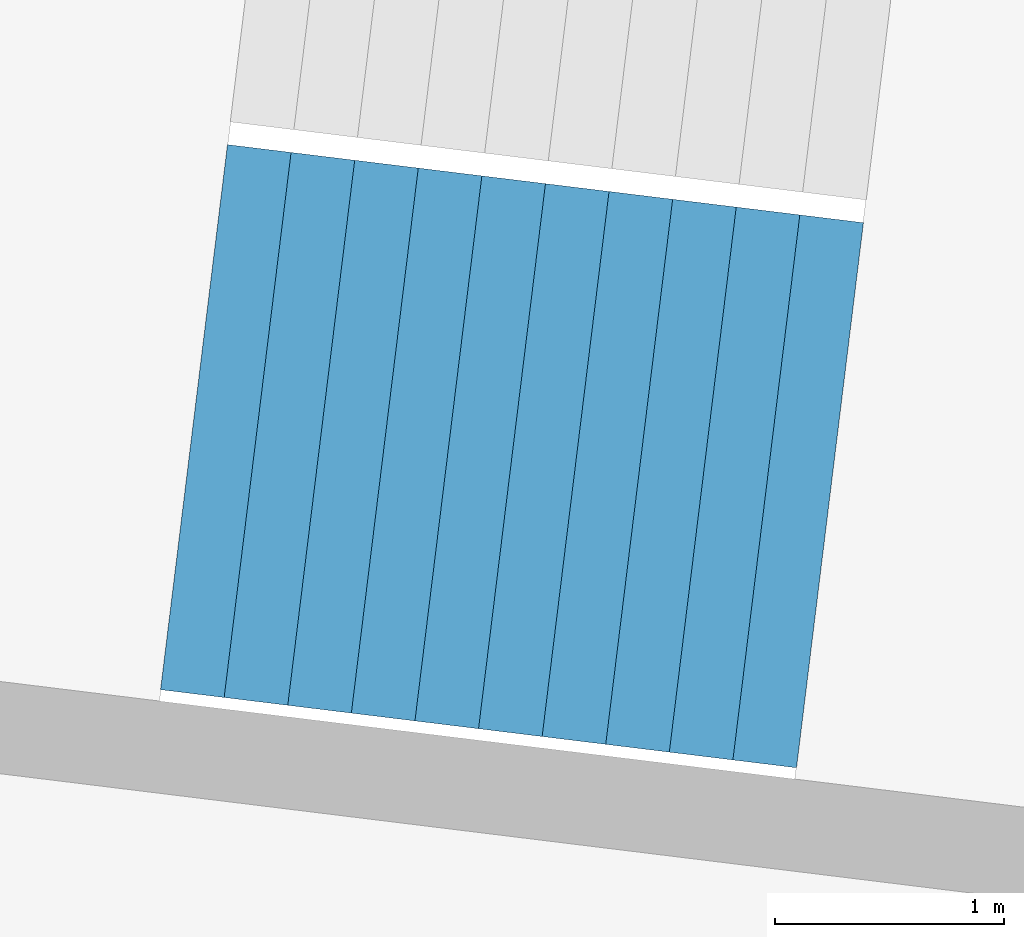
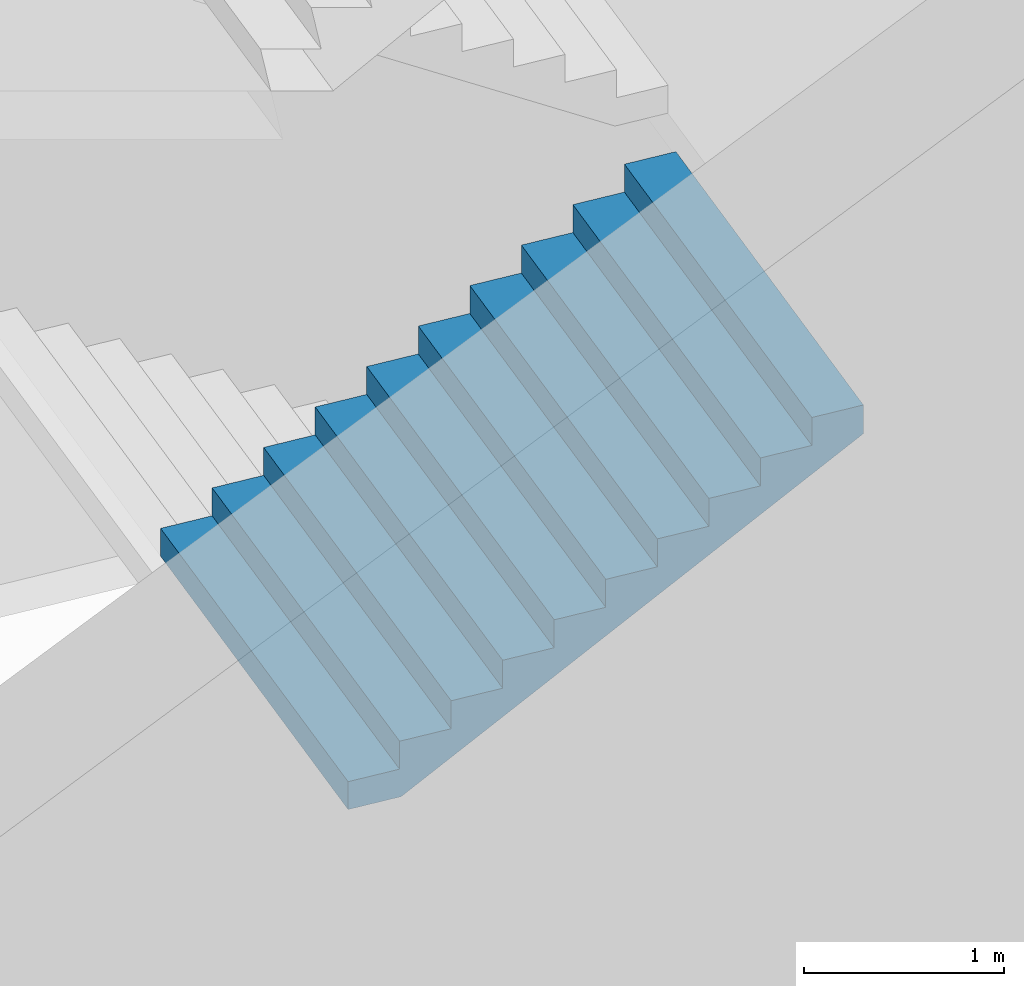
# One storey, part 26 of 73: 1 stair flight, 1 element without a shape of its own.
"""IFC4 building model written with IfcOpenShell, lengths in metres."""

from ifc_helpers import new_model, si_unit, direction, frame, origin, place, context, subcontext, project, spatial, triangles, material, type_object, element, aggregate, save


model = new_model("IFC4")

# Units and contexts
model_context = context("Model", 3, precision=1e-05, world=origin(), true_north=direction((0.0, 1.0)))
body_context = subcontext(model_context, "Body", "Model", "MODEL_VIEW")
ifc_project = project(units=[si_unit("LENGTHUNIT", "METRE"), si_unit("AREAUNIT", "SQUARE_METRE"), si_unit("VOLUMEUNIT", "CUBIC_METRE"), si_unit("PLANEANGLEUNIT", "RADIAN"), si_unit("MASSUNIT", "GRAM", prefix="KILO")], contexts=[model_context])

# Site, building, storey
site_placement = place(None, origin())
site = spatial("IfcSite", under=ifc_project, at=site_placement, CompositionType="ELEMENT")
building_placement = place(site_placement, origin())
building = spatial("IfcBuilding", under=site, at=building_placement, Name="Lantaw Convention Tower", CompositionType="ELEMENT")
storey_placement = place(building_placement, frame((0.0, 0.0, 14.5)))
storey = spatial("IfcBuildingStorey", under=building, at=storey_placement, Name="L02", CompositionType="ELEMENT", Elevation=14.5)

# Stair, stair flight
ifc_material = material(Name="Concrete C35/45", Category="concrete")
stair_type = type_object("IfcStairType", Name="Exit stair 2400 riser 170.45 in 4 flights", PredefinedType="HALF_TURN_STAIR", material=ifc_material)
stair_placement = place(storey_placement, origin())
stair = element("IfcStair", 1, at=stair_placement, inside=storey, type_object=stair_type, Name="Podium exit stair P9 L02", PredefinedType="HALF_TURN_STAIR")
stair_flight_type = type_object("IfcStairFlightType", Name="Stair flight 2400 riser 170.45", PredefinedType="STRAIGHT", material=ifc_material)
stair_flight_placement = place(storey_placement, frame((-41.055419921875, 3.781494140625, 1.875), z_axis=(0.0, 0.0, 1.0), x_axis=(0.992546151641, -0.121869343405, 0.0)))
stair_flight = element("IfcStairFlight", 2, at=stair_flight_placement, type_object=stair_flight_type, Name="P9 flight 2", NumberOfRisers=11, NumberOfTreads=10, PredefinedType="STRAIGHT", RiserHeight=0.170454545, TreadLength=0.28, context=body_context, shape_type="Tessellation", body=[
    triangles([(0.0, 1.199951171875, 0.0), (0.0, 1.199951171875, 0.170454545), (0.28, 1.199951171875, 0.0), (0.28, 1.199951171875, 0.170454545), (0.28, 1.199951171875, 0.34090909), (0.28827876332691904, 1.199951171875, 0.0), (0.28827876332691904, 1.199951171875, 0.34090909), (0.56, 1.199951171875, 0.16541471344266906), (0.56, 1.199951171875, 0.34090909), (0.56, 1.199951171875, 0.511363635), (0.8400000000000001, 1.199951171875, 0.335869258442669), (0.8400000000000001, 1.199951171875, 0.511363635), (0.8400000000000001, 1.199951171875, 0.68181818), (1.12, 1.199951171875, 0.506323803442669), (1.12, 1.199951171875, 0.68181818), (1.12, 1.199951171875, 0.8522727250000001), (1.4000000000000001, 1.199951171875, 0.676778348442669), (1.4000000000000001, 1.199951171875, 0.8522727250000001), (1.4000000000000001, 1.199951171875, 1.02272727), (1.6800000000000002, 1.199951171875, 0.847232893442669), (1.6800000000000002, 1.199951171875, 1.02272727), (1.6800000000000002, 1.199951171875, 1.193181815), (1.9600000000000002, 1.199951171875, 1.017687438442669), (1.9600000000000002, 1.199951171875, 1.193181815), (1.9600000000000002, 1.199951171875, 1.36363636), (2.24, 1.199951171875, 1.188141983442669), (2.24, 1.199951171875, 1.36363636), (2.24, 1.199951171875, 1.5340909050000002), (2.5200000000000005, 1.199951171875, 1.358596528442669), (2.5200000000000005, 1.199951171875, 1.5340909050000002), (2.5200000000000005, 1.199951171875, 1.7045454500000001), (2.8000000000000003, 1.199951171875, 1.529051073442669), (2.8000000000000003, 1.199951171875, 1.7045454500000001), (0.0, -1.199951171875, 0.0), (0.0, -1.199951171875, 0.170454545), (0.28, -1.199951171875, 0.0), (0.28, -1.199951171875, 0.170454545), (0.28, -1.199951171875, 0.34090909), (0.28827876332691904, -1.199951171875, 0.0), (0.28827876332691904, -1.199951171875, 0.34090909), (0.56, -1.199951171875, 0.16541471344266906), (0.56, -1.199951171875, 0.34090909), (0.56, -1.199951171875, 0.511363635), (0.8400000000000001, -1.199951171875, 0.335869258442669), (0.8400000000000001, -1.199951171875, 0.511363635), (0.8400000000000001, -1.199951171875, 0.68181818), (1.12, -1.199951171875, 0.506323803442669), (1.12, -1.199951171875, 0.68181818), (1.12, -1.199951171875, 0.8522727250000001), (1.4000000000000001, -1.199951171875, 0.676778348442669), (1.4000000000000001, -1.199951171875, 0.8522727250000001), (1.4000000000000001, -1.199951171875, 1.02272727), (1.6800000000000002, -1.199951171875, 0.847232893442669), (1.6800000000000002, -1.199951171875, 1.02272727), (1.6800000000000002, -1.199951171875, 1.193181815), (1.9600000000000002, -1.199951171875, 1.017687438442669), (1.9600000000000002, -1.199951171875, 1.193181815), (1.9600000000000002, -1.199951171875, 1.36363636), (2.24, -1.199951171875, 1.188141983442669), (2.24, -1.199951171875, 1.36363636), (2.24, -1.199951171875, 1.5340909050000002), (2.5200000000000005, -1.199951171875, 1.358596528442669), (2.5200000000000005, -1.199951171875, 1.5340909050000002), (2.5200000000000005, -1.199951171875, 1.7045454500000001), (2.8000000000000003, -1.199951171875, 1.529051073442669), (2.8000000000000003, -1.199951171875, 1.7045454500000001), (0.0, 0.239990234375, 0.170454545), (0.0, 0.239990234375, 0.0), (0.0, 0.1199951171875, 0.170454545), (0.0, 0.1199951171875, 0.0), (0.0, 0.0, 0.170454545), (0.0, 0.0, 0.0), (0.0, -0.1199951171875, 0.170454545), (0.0, -0.1199951171875, 0.0), (0.0, -0.239990234375, 0.170454545), (0.0, -0.239990234375, 0.0), (0.28, 0.239990234375, 0.34090909), (0.28, 0.239990234375, 0.170454545), (0.28, 0.1199951171875, 0.34090909), (0.28, 0.1199951171875, 0.170454545), (0.28, 0.0, 0.34090909), (0.28, 0.0, 0.170454545), (0.28, -0.1199951171875, 0.34090909), (0.28, -0.1199951171875, 0.170454545), (0.28, -0.239990234375, 0.34090909), (0.28, -0.239990234375, 0.170454545), (0.56, 0.239990234375, 0.511363635), (0.56, 0.239990234375, 0.34090909), (0.56, 0.1199951171875, 0.511363635), (0.56, 0.1199951171875, 0.34090909), (0.56, 0.0, 0.511363635), (0.56, 0.0, 0.34090909), (0.56, -0.1199951171875, 0.511363635), (0.56, -0.1199951171875, 0.34090909), (0.56, -0.239990234375, 0.511363635), (0.56, -0.239990234375, 0.34090909), (0.8400000000000001, 0.239990234375, 0.68181818), (0.8400000000000001, 0.239990234375, 0.511363635), (0.8400000000000001, 0.1199951171875, 0.68181818), (0.8400000000000001, 0.1199951171875, 0.511363635), (0.8400000000000001, 0.0, 0.68181818), (0.8400000000000001, 0.0, 0.511363635), (0.8400000000000001, -0.1199951171875, 0.68181818), (0.8400000000000001, -0.1199951171875, 0.511363635), (0.8400000000000001, -0.239990234375, 0.68181818), (0.8400000000000001, -0.239990234375, 0.511363635), (1.12, 0.239990234375, 0.8522727250000001), (1.12, 0.239990234375, 0.68181818), (1.12, 0.1199951171875, 0.8522727250000001), (1.12, 0.1199951171875, 0.68181818), (1.12, 0.0, 0.8522727250000001), (1.12, 0.0, 0.68181818), (1.12, -0.1199951171875, 0.8522727250000001), (1.12, -0.1199951171875, 0.68181818), (1.12, -0.239990234375, 0.8522727250000001), (1.12, -0.239990234375, 0.68181818), (1.4000000000000001, 0.239990234375, 1.02272727), (1.4000000000000001, 0.239990234375, 0.8522727250000001), (1.4000000000000001, 0.1199951171875, 1.02272727), (1.4000000000000001, 0.1199951171875, 0.8522727250000001), (1.4000000000000001, 0.0, 1.02272727), (1.4000000000000001, 0.0, 0.8522727250000001), (1.4000000000000001, -0.1199951171875, 1.02272727), (1.4000000000000001, -0.1199951171875, 0.8522727250000001), (1.4000000000000001, -0.239990234375, 1.02272727), (1.4000000000000001, -0.239990234375, 0.8522727250000001), (1.6800000000000002, 0.239990234375, 1.193181815), (1.6800000000000002, 0.239990234375, 1.02272727), (1.6800000000000002, 0.1199951171875, 1.193181815), (1.6800000000000002, 0.1199951171875, 1.02272727), (1.6800000000000002, 0.0, 1.193181815), (1.6800000000000002, 0.0, 1.02272727), (1.6800000000000002, -0.1199951171875, 1.193181815), (1.6800000000000002, -0.1199951171875, 1.02272727), (1.6800000000000002, -0.239990234375, 1.193181815), (1.6800000000000002, -0.239990234375, 1.02272727), (1.9600000000000002, 0.239990234375, 1.36363636), (1.9600000000000002, 0.239990234375, 1.193181815), (1.9600000000000002, 0.1199951171875, 1.36363636), (1.9600000000000002, 0.1199951171875, 1.193181815), (1.9600000000000002, 0.0, 1.36363636), (1.9600000000000002, 0.0, 1.193181815), (1.9600000000000002, -0.1199951171875, 1.36363636), (1.9600000000000002, -0.1199951171875, 1.193181815), (1.9600000000000002, -0.239990234375, 1.36363636), (1.9600000000000002, -0.239990234375, 1.193181815), (2.24, 0.239990234375, 1.5340909050000002), (2.24, 0.239990234375, 1.36363636), (2.24, 0.1199951171875, 1.5340909050000002), (2.24, 0.1199951171875, 1.36363636), (2.24, 0.0, 1.5340909050000002), (2.24, 0.0, 1.36363636), (2.24, -0.1199951171875, 1.5340909050000002), (2.24, -0.1199951171875, 1.36363636), (2.24, -0.239990234375, 1.5340909050000002), (2.24, -0.239990234375, 1.36363636), (2.5200000000000005, 0.239990234375, 1.7045454500000001), (2.5200000000000005, 0.239990234375, 1.5340909050000002), (2.5200000000000005, 0.1199951171875, 1.7045454500000001), (2.5200000000000005, 0.1199951171875, 1.5340909050000002), (2.5200000000000005, 0.0, 1.7045454500000001), (2.5200000000000005, 0.0, 1.5340909050000002), (2.5200000000000005, -0.1199951171875, 1.7045454500000001), (2.5200000000000005, -0.1199951171875, 1.5340909050000002), (2.5200000000000005, -0.239990234375, 1.7045454500000001), (2.5200000000000005, -0.239990234375, 1.5340909050000002), (0.28827876332691904, 0.239990234375, 0.34090909), (0.28827876332691904, 0.1199951171875, 0.34090909), (0.28827876332691904, 0.0, 0.34090909), (0.28827876332691904, -0.1199951171875, 0.34090909), (0.28827876332691904, -0.239990234375, 0.34090909), (2.8000000000000003, 0.239990234375, 1.7045454500000001), (2.8000000000000003, 0.1199951171875, 1.7045454500000001), (2.8000000000000003, 0.0, 1.7045454500000001), (2.8000000000000003, -0.1199951171875, 1.7045454500000001), (2.8000000000000003, -0.239990234375, 1.7045454500000001), (2.8000000000000003, 0.239990234375, 1.5290510734426692), (2.8000000000000003, 0.1199951171875, 1.5290510734426692), (2.8000000000000003, 0.0, 1.5290510734426692), (2.8000000000000003, -0.1199951171875, 1.5290510734426692), (2.8000000000000003, -0.239990234375, 1.5290510734426692), (2.5200000000000005, 0.239990234375, 1.358596528442669), (2.5200000000000005, 0.1199951171875, 1.358596528442669), (2.5200000000000005, 0.0, 1.358596528442669), (2.5200000000000005, -0.1199951171875, 1.358596528442669), (2.5200000000000005, -0.239990234375, 1.358596528442669), (2.24, 0.239990234375, 1.188141983442669), (2.24, 0.1199951171875, 1.188141983442669), (2.24, 0.0, 1.188141983442669), (2.24, -0.1199951171875, 1.188141983442669), (2.24, -0.239990234375, 1.188141983442669), (1.9600000000000002, 0.239990234375, 1.017687438442669), (1.9600000000000002, 0.1199951171875, 1.017687438442669), (1.9600000000000002, 0.0, 1.017687438442669), (1.9600000000000002, -0.1199951171875, 1.017687438442669), (1.9600000000000002, -0.239990234375, 1.017687438442669), (1.6800000000000002, 0.239990234375, 0.847232893442669), (1.6800000000000002, 0.1199951171875, 0.847232893442669), (1.6800000000000002, 0.0, 0.847232893442669), (1.6800000000000002, -0.1199951171875, 0.847232893442669), (1.6800000000000002, -0.239990234375, 0.847232893442669), (1.4000000000000001, 0.239990234375, 0.676778348442669), (1.4000000000000001, 0.1199951171875, 0.676778348442669), (1.4000000000000001, 0.0, 0.676778348442669), (1.4000000000000001, -0.1199951171875, 0.676778348442669), (1.4000000000000001, -0.239990234375, 0.676778348442669), (1.12, 0.239990234375, 0.506323803442669), (1.12, 0.1199951171875, 0.506323803442669), (1.12, 0.0, 0.506323803442669), (1.12, -0.1199951171875, 0.506323803442669), (1.12, -0.239990234375, 0.506323803442669), (0.8400000000000001, 0.239990234375, 0.335869258442669), (0.8400000000000001, 0.1199951171875, 0.335869258442669), (0.8400000000000001, 0.0, 0.335869258442669), (0.8400000000000001, -0.1199951171875, 0.335869258442669), (0.8400000000000001, -0.239990234375, 0.335869258442669), (0.56, 0.239990234375, 0.16541471344266906), (0.56, 0.1199951171875, 0.16541471344266906), (0.56, 0.0, 0.16541471344266906), (0.56, -0.1199951171875, 0.16541471344266906), (0.56, -0.239990234375, 0.16541471344266906), (0.28827876332691904, 0.239990234375, 0.0), (0.28827876332691904, 0.1199951171875, 0.0), (0.28827876332691904, 0.0, 0.0), (0.28827876332691904, -0.1199951171875, 0.0), (0.28827876332691904, -0.239990234375, 0.0), (0.28, 0.239990234375, 0.0), (0.28, 0.1199951171875, 0.0), (0.28, 0.0, 0.0), (0.28, -0.1199951171875, 0.0), (0.28, -0.239990234375, 0.0)], [[1, 4, 3], [1, 2, 4], [3, 4, 6], [4, 7, 6], [4, 5, 7], [6, 9, 8], [6, 7, 9], [8, 9, 11], [9, 12, 11], [9, 10, 12], [11, 12, 14], [12, 15, 14], [12, 13, 15], [14, 15, 17], [15, 18, 17], [15, 16, 18], [17, 18, 20], [18, 21, 20], [18, 19, 21], [20, 21, 23], [21, 24, 23], [21, 22, 24], [23, 24, 26], [24, 27, 26], [24, 25, 27], [26, 27, 29], [27, 30, 29], [27, 28, 30], [29, 30, 32], [30, 33, 32], [30, 31, 33], [34, 36, 37], [34, 37, 35], [36, 39, 37], [37, 39, 40], [37, 40, 38], [39, 41, 42], [39, 42, 40], [41, 44, 42], [42, 44, 45], [42, 45, 43], [44, 47, 45], [45, 47, 48], [45, 48, 46], [47, 50, 48], [48, 50, 51], [48, 51, 49], [50, 53, 51], [51, 53, 54], [51, 54, 52], [53, 56, 54], [54, 56, 57], [54, 57, 55], [56, 59, 57], [57, 59, 60], [57, 60, 58], [59, 62, 60], [60, 62, 63], [60, 63, 61], [62, 65, 63], [63, 65, 66], [63, 66, 64], [1, 67, 2], [1, 68, 67], [68, 69, 67], [68, 70, 69], [70, 71, 69], [70, 72, 71], [72, 73, 71], [72, 74, 73], [74, 75, 73], [74, 76, 75], [76, 35, 75], [76, 34, 35], [4, 77, 5], [4, 78, 77], [78, 79, 77], [78, 80, 79], [80, 81, 79], [80, 82, 81], [82, 83, 81], [82, 84, 83], [84, 85, 83], [84, 86, 85], [86, 38, 85], [86, 37, 38], [9, 87, 10], [9, 88, 87], [88, 89, 87], [88, 90, 89], [90, 91, 89], [90, 92, 91], [92, 93, 91], [92, 94, 93], [94, 95, 93], [94, 96, 95], [96, 43, 95], [96, 42, 43], [12, 97, 13], [12, 98, 97], [98, 99, 97], [98, 100, 99], [100, 101, 99], [100, 102, 101], [102, 103, 101], [102, 104, 103], [104, 105, 103], [104, 106, 105], [106, 46, 105], [106, 45, 46], [15, 107, 16], [15, 108, 107], [108, 109, 107], [108, 110, 109], [110, 111, 109], [110, 112, 111], [112, 113, 111], [112, 114, 113], [114, 115, 113], [114, 116, 115], [116, 49, 115], [116, 48, 49], [18, 117, 19], [18, 118, 117], [118, 119, 117], [118, 120, 119], [120, 121, 119], [120, 122, 121], [122, 123, 121], [122, 124, 123], [124, 125, 123], [124, 126, 125], [126, 52, 125], [126, 51, 52], [21, 127, 22], [21, 128, 127], [128, 129, 127], [128, 130, 129], [130, 131, 129], [130, 132, 131], [132, 133, 131], [132, 134, 133], [134, 135, 133], [134, 136, 135], [136, 55, 135], [136, 54, 55], [24, 137, 25], [24, 138, 137], [138, 139, 137], [138, 140, 139], [140, 141, 139], [140, 142, 141], [142, 143, 141], [142, 144, 143], [144, 145, 143], [144, 146, 145], [146, 58, 145], [146, 57, 58], [27, 147, 28], [27, 148, 147], [148, 149, 147], [148, 150, 149], [150, 151, 149], [150, 152, 151], [152, 153, 151], [152, 154, 153], [154, 155, 153], [154, 156, 155], [156, 61, 155], [156, 60, 61], [30, 157, 31], [30, 158, 157], [158, 159, 157], [158, 160, 159], [160, 161, 159], [160, 162, 161], [162, 163, 161], [162, 164, 163], [164, 165, 163], [164, 166, 165], [166, 64, 165], [166, 63, 64], [2, 78, 4], [2, 67, 78], [67, 80, 78], [67, 69, 80], [69, 82, 80], [69, 71, 82], [71, 84, 82], [71, 73, 84], [73, 86, 84], [73, 75, 86], [75, 37, 86], [75, 35, 37], [5, 167, 7], [5, 77, 167], [77, 168, 167], [77, 79, 168], [79, 169, 168], [79, 81, 169], [81, 170, 169], [81, 83, 170], [83, 171, 170], [83, 85, 171], [85, 40, 171], [85, 38, 40], [7, 88, 9], [7, 167, 88], [167, 90, 88], [167, 168, 90], [168, 92, 90], [168, 169, 92], [169, 94, 92], [169, 170, 94], [170, 96, 94], [170, 171, 96], [171, 42, 96], [171, 40, 42], [10, 98, 12], [10, 87, 98], [87, 100, 98], [87, 89, 100], [89, 102, 100], [89, 91, 102], [91, 104, 102], [91, 93, 104], [93, 106, 104], [93, 95, 106], [95, 45, 106], [95, 43, 45], [13, 108, 15], [13, 97, 108], [97, 110, 108], [97, 99, 110], [99, 112, 110], [99, 101, 112], [101, 114, 112], [101, 103, 114], [103, 116, 114], [103, 105, 116], [105, 48, 116], [105, 46, 48], [16, 118, 18], [16, 107, 118], [107, 120, 118], [107, 109, 120], [109, 122, 120], [109, 111, 122], [111, 124, 122], [111, 113, 124], [113, 126, 124], [113, 115, 126], [115, 51, 126], [115, 49, 51], [19, 128, 21], [19, 117, 128], [117, 130, 128], [117, 119, 130], [119, 132, 130], [119, 121, 132], [121, 134, 132], [121, 123, 134], [123, 136, 134], [123, 125, 136], [125, 54, 136], [125, 52, 54], [22, 138, 24], [22, 127, 138], [127, 140, 138], [127, 129, 140], [129, 142, 140], [129, 131, 142], [131, 144, 142], [131, 133, 144], [133, 146, 144], [133, 135, 146], [135, 57, 146], [135, 55, 57], [25, 148, 27], [25, 137, 148], [137, 150, 148], [137, 139, 150], [139, 152, 150], [139, 141, 152], [141, 154, 152], [141, 143, 154], [143, 156, 154], [143, 145, 156], [145, 60, 156], [145, 58, 60], [28, 158, 30], [28, 147, 158], [147, 160, 158], [147, 149, 160], [149, 162, 160], [149, 151, 162], [151, 164, 162], [151, 153, 164], [153, 166, 164], [153, 155, 166], [155, 63, 166], [155, 61, 63], [31, 172, 33], [31, 157, 172], [157, 173, 172], [157, 159, 173], [159, 174, 173], [159, 161, 174], [161, 175, 174], [161, 163, 175], [163, 176, 175], [163, 165, 176], [165, 66, 176], [165, 64, 66], [33, 177, 32], [33, 172, 177], [172, 178, 177], [172, 173, 178], [173, 179, 178], [173, 174, 179], [174, 180, 179], [174, 175, 180], [175, 181, 180], [175, 176, 181], [176, 65, 181], [176, 66, 65], [32, 182, 29], [32, 177, 182], [177, 183, 182], [177, 178, 183], [178, 184, 183], [178, 179, 184], [179, 185, 184], [179, 180, 185], [180, 186, 185], [180, 181, 186], [181, 62, 186], [181, 65, 62], [29, 187, 26], [29, 182, 187], [182, 188, 187], [182, 183, 188], [183, 189, 188], [183, 184, 189], [184, 190, 189], [184, 185, 190], [185, 191, 190], [185, 186, 191], [186, 59, 191], [186, 62, 59], [26, 192, 23], [26, 187, 192], [187, 193, 192], [187, 188, 193], [188, 194, 193], [188, 189, 194], [189, 195, 194], [189, 190, 195], [190, 196, 195], [190, 191, 196], [191, 56, 196], [191, 59, 56], [23, 197, 20], [23, 192, 197], [192, 198, 197], [192, 193, 198], [193, 199, 198], [193, 194, 199], [194, 200, 199], [194, 195, 200], [195, 201, 200], [195, 196, 201], [196, 53, 201], [196, 56, 53], [20, 202, 17], [20, 197, 202], [197, 203, 202], [197, 198, 203], [198, 204, 203], [198, 199, 204], [199, 205, 204], [199, 200, 205], [200, 206, 205], [200, 201, 206], [201, 50, 206], [201, 53, 50], [17, 207, 14], [17, 202, 207], [202, 208, 207], [202, 203, 208], [203, 209, 208], [203, 204, 209], [204, 210, 209], [204, 205, 210], [205, 211, 210], [205, 206, 211], [206, 47, 211], [206, 50, 47], [14, 212, 11], [14, 207, 212], [207, 213, 212], [207, 208, 213], [208, 214, 213], [208, 209, 214], [209, 215, 214], [209, 210, 215], [210, 216, 215], [210, 211, 216], [211, 44, 216], [211, 47, 44], [11, 217, 8], [11, 212, 217], [212, 218, 217], [212, 213, 218], [213, 219, 218], [213, 214, 219], [214, 220, 219], [214, 215, 220], [215, 221, 220], [215, 216, 221], [216, 41, 221], [216, 44, 41], [8, 222, 6], [8, 217, 222], [217, 223, 222], [217, 218, 223], [218, 224, 223], [218, 219, 224], [219, 225, 224], [219, 220, 225], [220, 226, 225], [220, 221, 226], [221, 39, 226], [221, 41, 39], [6, 227, 3], [6, 222, 227], [222, 228, 227], [222, 223, 228], [223, 229, 228], [223, 224, 229], [224, 230, 229], [224, 225, 230], [225, 231, 230], [225, 226, 231], [226, 36, 231], [226, 39, 36], [3, 68, 1], [3, 227, 68], [227, 70, 68], [227, 228, 70], [228, 72, 70], [228, 229, 72], [229, 74, 72], [229, 230, 74], [230, 76, 74], [230, 231, 76], [231, 34, 76], [231, 36, 34]], closed=True),
])
aggregate(stair, [stair_flight])

save(model, "model.ifc")
